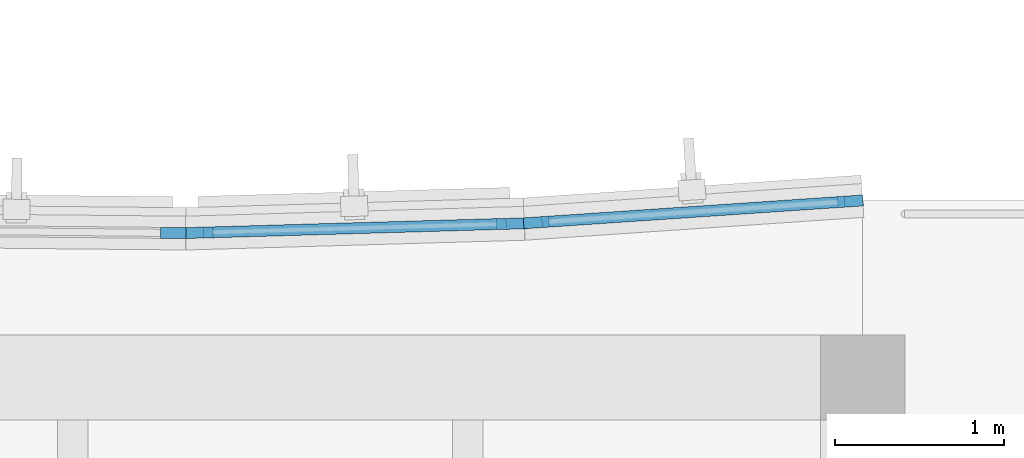
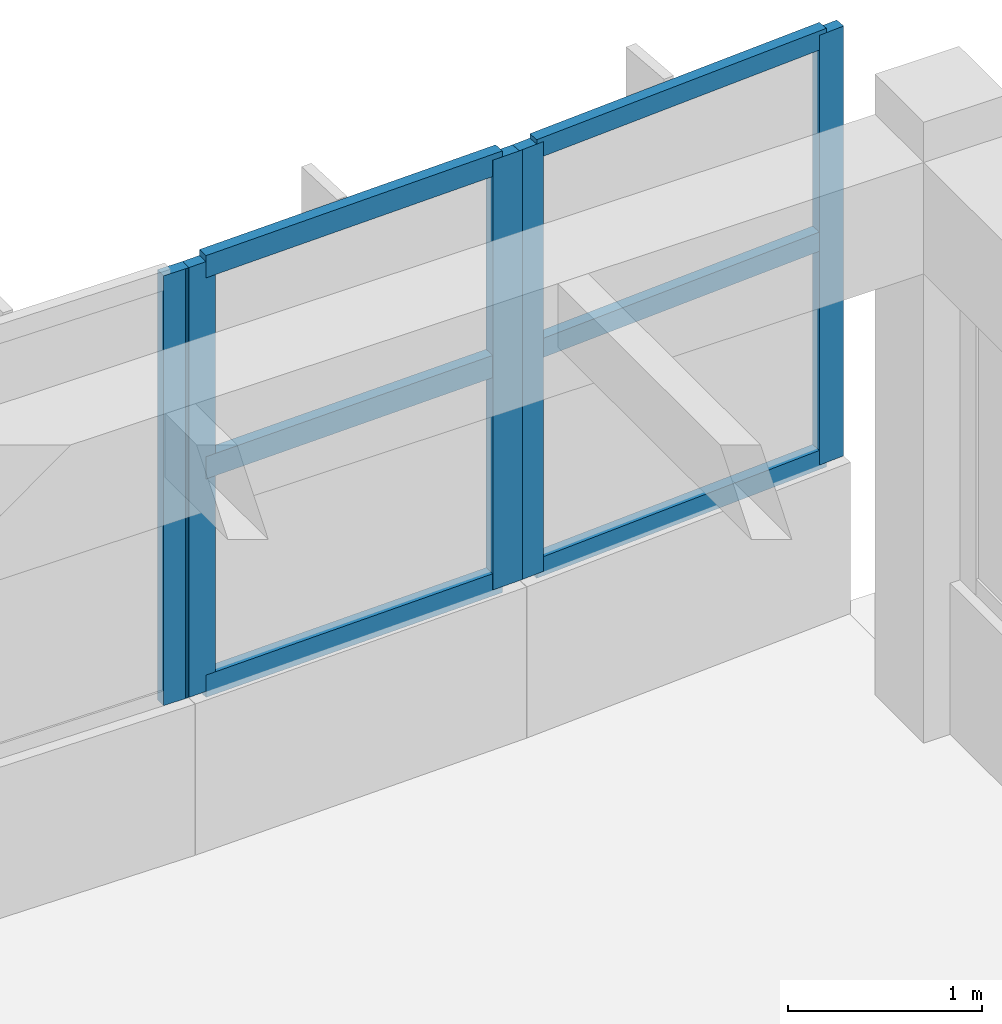
# One storey, part 42 of 89: 11 members, 3 elements without a shape of their own.
"""IFC4 building model written with IfcOpenShell, lengths in metres."""

from ifc_helpers import new_model, si_unit, direction, frame, origin, origin_2d, place, context, subcontext, project, spatial, rectangle, extrude, material, layer, layer_set, material_profile, profile_set, type_object, element, aggregate, save


model = new_model("IFC4")

# Units and contexts
model_context = context("Model", 3, precision=1e-05, world=origin(), true_north=direction((0.0, 1.0)))
body_context = subcontext(model_context, "Body", "Model", "MODEL_VIEW")
ifc_project = project(units=[si_unit("LENGTHUNIT", "METRE"), si_unit("AREAUNIT", "SQUARE_METRE"), si_unit("VOLUMEUNIT", "CUBIC_METRE"), si_unit("PLANEANGLEUNIT", "RADIAN"), si_unit("MASSUNIT", "GRAM", prefix="KILO")], contexts=[model_context])

# Site, building, storey
site_placement = place(None, origin())
site = spatial("IfcSite", under=ifc_project, at=site_placement, CompositionType="ELEMENT")
building_placement = place(site_placement, origin())
building = spatial("IfcBuilding", under=site, at=building_placement, Name="Tonlespit Floodbar School", CompositionType="ELEMENT")
storey_placement = place(building_placement, frame((0.0, 0.0, 4.5)))
storey = spatial("IfcBuildingStorey", under=building, at=storey_placement, Name="L01", CompositionType="ELEMENT", Elevation=4.5)

# Curtain wall, member
ifc_material = material(Name="Anodised Aluminium", Category="aluminium")
ifc_layer = layer(ifc_material, 0.159912109375)
ifc_layer_set = layer_set([ifc_layer], Name="Anodised Aluminium")
curtain_wall_type = type_object("IfcCurtainWallType", Name="CurtainWall_1900x2700", PredefinedType="NOTDEFINED", material=ifc_layer_set)
curtain_wall_1_placement = place(storey_placement, origin())
curtain_wall_1 = element("IfcCurtainWall", 1, at=curtain_wall_1_placement, inside=storey, type_object=curtain_wall_type, Name="L01 unitised curtain wall 0404", PredefinedType="NOTDEFINED")
ifc_material_profile_1 = material_profile(ifc_material, rectangle(XDim=0.06494140625, YDim=0.14990234375, at=origin_2d()), Name="ALU M65x150")
ifc_profile_set_1 = profile_set([ifc_material_profile_1], Name="Anodised Aluminium")
member_type_1 = type_object("IfcMemberType", Name="CW_Mullion_65x150", PredefinedType="MULLION", material=ifc_profile_set_1)
member_1_placement = place(storey_placement, frame((171.927490234375, 120.853759765625, 0.949951171875), z_axis=(0.0, 0.0, 1.0), x_axis=(0.009582893292, 0.999954083024, 0.0)))
member_1 = element("IfcMember", 2, at=member_1_placement, type_object=member_type_1, Name="CW-05 mullion 2", PredefinedType="MULLION", context=body_context, shape_type="SweptSolid", body=[
    extrude(rectangle(XDim=0.06494140625, YDim=0.14990234375, at=origin_2d()), origin(), (0.0, 0.0, 1.0), 2.699951171875),
])
aggregate(curtain_wall_1, [member_1])

# Curtain wall, members
curtain_wall_2_placement = place(storey_placement, origin())
curtain_wall_2 = element("IfcCurtainWall", 3, at=curtain_wall_2_placement, inside=storey, type_object=curtain_wall_type, Name="L01 unitised curtain wall 0406", PredefinedType="NOTDEFINED")
member_2_placement = place(storey_placement, frame((174.072265625, 120.91552734375, 0.949951171875), z_axis=(0.0, 0.0, 1.0), x_axis=(-0.067339767311, 0.99773010165, 0.0)))
member_2 = element("IfcMember", 4, at=member_2_placement, type_object=member_type_1, Name="CW-05 mullion 1", PredefinedType="MULLION", context=body_context, shape_type="SweptSolid", body=[
    extrude(rectangle(XDim=0.06494140625, YDim=0.14990234375, at=origin_2d()), origin(), (0.0, 0.0, 1.0), 2.699951171875),
])
member_3_placement = place(storey_placement, frame((175.927734375, 121.040771484375, 0.949951171875), z_axis=(0.0, 0.0, 1.0), x_axis=(-0.067339767311, 0.99773010165, 0.0)))
member_3 = element("IfcMember", 5, at=member_3_placement, type_object=member_type_1, Name="CW-05 mullion 2", PredefinedType="MULLION", context=body_context, shape_type="SweptSolid", body=[
    extrude(rectangle(XDim=0.06494140625, YDim=0.14990234375, at=origin_2d()), origin(), (0.0, 0.0, 1.0), 2.699951171875),
])

curtain_wall_3_placement = place(storey_placement, origin())
curtain_wall_3 = element("IfcCurtainWall", 6, at=curtain_wall_3_placement, inside=storey, type_object=curtain_wall_type, Name="L01 unitised curtain wall 0405", PredefinedType="NOTDEFINED")
ifc_material_profile_2 = material_profile(ifc_material, rectangle(XDim=0.06494140625, YDim=0.179931640625, at=origin_2d()), Name="ALU M65x180")
ifc_profile_set_2 = profile_set([ifc_material_profile_2], Name="Anodised Aluminium")
member_type_2 = type_object("IfcMemberType", Name="CW_Mullion_65x180", PredefinedType="MULLION", material=ifc_profile_set_2)
member_4_placement = place(storey_placement, frame((172.072509765625, 120.855224609375, 0.949951171875), z_axis=(0.0, 0.0, 1.0), x_axis=(-0.028790144226, 0.999585477883, 0.0)))
member_4 = element("IfcMember", 7, at=member_4_placement, type_object=member_type_2, Name="CW-05 mullion 1", PredefinedType="MULLION", context=body_context, shape_type="SweptSolid", body=[
    extrude(rectangle(XDim=0.06494140625, YDim=0.179931640625, at=origin_2d()), origin(), (0.0, 0.0, 1.0), 2.699951171875),
])
member_5_placement = place(storey_placement, frame((173.927490234375, 120.908447265625, 0.949951171875), z_axis=(0.0, 0.0, 1.0), x_axis=(-0.028790144226, 0.999585477883, 0.0)))
member_5 = element("IfcMember", 8, at=member_5_placement, type_object=member_type_2, Name="CW-05 mullion 2", PredefinedType="MULLION", context=body_context, shape_type="SweptSolid", body=[
    extrude(rectangle(XDim=0.06494140625, YDim=0.179931640625, at=origin_2d()), origin(), (0.0, 0.0, 1.0), 2.699951171875),
])

# Member
ifc_material_profile_3 = material_profile(ifc_material, rectangle(XDim=0.06494140625, YDim=0.1201171875, at=origin_2d()), Name="ALU T65x120")
ifc_profile_set_3 = profile_set([ifc_material_profile_3], Name="Anodised Aluminium")
member_type_3 = type_object("IfcMemberType", Name="CW_Transom_65x120", PredefinedType="USERDEFINED", material=ifc_profile_set_3)
member_6_placement = place(storey_placement, frame((174.104736328125, 120.917724609375, 0.982421875), z_axis=(0.997730041674, 0.067340655935, 0.0), x_axis=(-0.067340655935, 0.997730041674, 0.0)))
member_6 = element("IfcMember", 9, at=member_6_placement, type_object=member_type_3, Name="CW-05 transom 1.1", ObjectType="TRANSOM", PredefinedType="USERDEFINED", context=body_context, shape_type="SweptSolid", body=[
    extrude(rectangle(XDim=0.06494140625, YDim=0.1201171875, at=origin_2d()), origin(), (0.0, 0.0, 1.0), 1.794677734375),
])

member_7_placement = place(storey_placement, frame((174.104736328125, 120.917724609375, 2.35400390625), z_axis=(0.997730041674, 0.067340655935, 0.0), x_axis=(-0.067340655935, 0.997730041674, 0.0)))
member_7 = element("IfcMember", 10, at=member_7_placement, type_object=member_type_3, Name="CW-05 transom 1.2", ObjectType="TRANSOM", PredefinedType="USERDEFINED", context=body_context, shape_type="SweptSolid", body=[
    extrude(rectangle(XDim=0.06494140625, YDim=0.1201171875, at=origin_2d()), origin(), (0.0, 0.0, 1.0), 1.794677734375),
])

member_8_placement = place(storey_placement, frame((174.104736328125, 120.917724609375, 3.617431640625), z_axis=(0.997730041674, 0.067340655935, 0.0), x_axis=(-0.067340655935, 0.997730041674, 0.0)))
member_8 = element("IfcMember", 11, at=member_8_placement, type_object=member_type_3, Name="CW-05 transom 1.3", ObjectType="TRANSOM", PredefinedType="USERDEFINED", context=body_context, shape_type="SweptSolid", body=[
    extrude(rectangle(XDim=0.06494140625, YDim=0.1201171875, at=origin_2d()), origin(), (0.0, 0.0, 1.0), 1.794677734375),
])

aggregate(curtain_wall_2, [member_2, member_3, member_6, member_7, member_8])

ifc_material_profile_4 = material_profile(ifc_material, rectangle(XDim=0.06494140625, YDim=0.139892578125, at=origin_2d()), Name="ALU T65x140")
ifc_profile_set_4 = profile_set([ifc_material_profile_4], Name="Anodised Aluminium")
member_type_4 = type_object("IfcMemberType", Name="CW_Transom_65x140", PredefinedType="USERDEFINED", material=ifc_profile_set_4)
member_9_placement = place(storey_placement, frame((172.10498046875, 120.85595703125, 0.982421875), z_axis=(0.999582242166, 0.028902268868, 0.0), x_axis=(-0.028902268868, 0.999582242166, 0.0)))
member_9 = element("IfcMember", 12, at=member_9_placement, type_object=member_type_4, Name="CW-05 transom 1.1", ObjectType="TRANSOM", PredefinedType="USERDEFINED", context=body_context, shape_type="SweptSolid", body=[
    extrude(rectangle(XDim=0.06494140625, YDim=0.139892578125, at=origin_2d()), origin(), (0.0, 0.0, 1.0), 1.790771484375),
])

member_10_placement = place(storey_placement, frame((172.10498046875, 120.85595703125, 2.35400390625), z_axis=(0.999582242166, 0.028902268868, 0.0), x_axis=(-0.028902268868, 0.999582242166, 0.0)))
member_10 = element("IfcMember", 13, at=member_10_placement, type_object=member_type_4, Name="CW-05 transom 1.2", ObjectType="TRANSOM", PredefinedType="USERDEFINED", context=body_context, shape_type="SweptSolid", body=[
    extrude(rectangle(XDim=0.06494140625, YDim=0.139892578125, at=origin_2d()), origin(), (0.0, 0.0, 1.0), 1.790771484375),
])

member_11_placement = place(storey_placement, frame((172.10498046875, 120.85595703125, 3.617431640625), z_axis=(0.999582242166, 0.028902268868, 0.0), x_axis=(-0.028902268868, 0.999582242166, 0.0)))
member_11 = element("IfcMember", 14, at=member_11_placement, type_object=member_type_4, Name="CW-05 transom 1.3", ObjectType="TRANSOM", PredefinedType="USERDEFINED", context=body_context, shape_type="SweptSolid", body=[
    extrude(rectangle(XDim=0.06494140625, YDim=0.139892578125, at=origin_2d()), origin(), (0.0, 0.0, 1.0), 1.790771484375),
])

aggregate(curtain_wall_3, [member_4, member_5, member_9, member_10, member_11])

save(model, "model.ifc")
